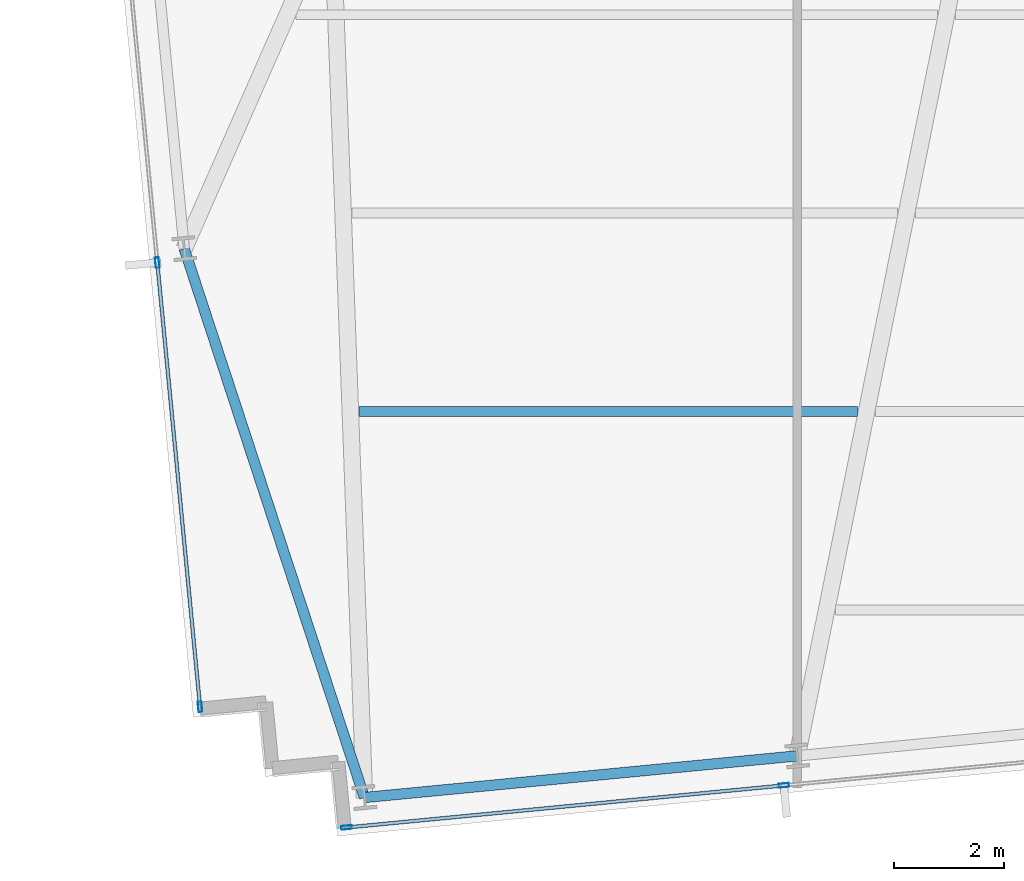
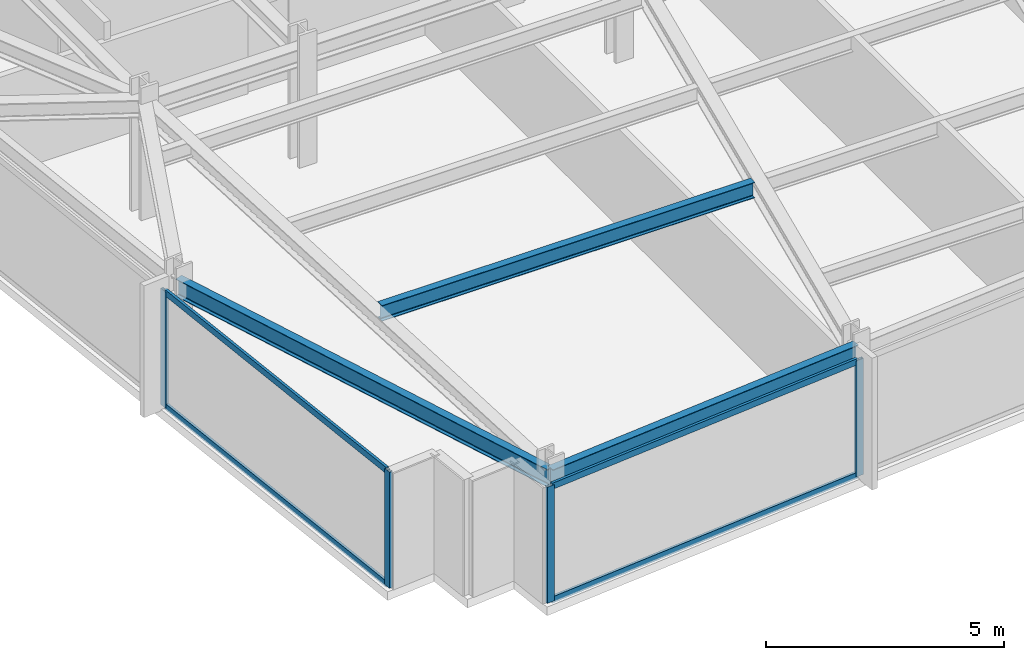
# One storey, part 2 of 32: 8 members, 3 beams, 2 elements without a shape of their own.
"""IFC4 building model written with IfcOpenShell, lengths in metres."""

from ifc_helpers import new_model, si_unit, direction, frame, origin, origin_2d, place, context, subcontext, project, spatial, hollow_rectangle, i_section, extrude, material, material_profile, profile_set, type_object, element, aggregate, save


model = new_model("IFC4")

# Units and contexts
model_context = context("Model", 3, precision=1e-05, world=origin(), true_north=direction((0.0, 1.0)))
body_context = subcontext(model_context, "Body", "Model", "MODEL_VIEW")
ifc_project = project(units=[si_unit("LENGTHUNIT", "METRE"), si_unit("AREAUNIT", "SQUARE_METRE"), si_unit("VOLUMEUNIT", "CUBIC_METRE"), si_unit("PLANEANGLEUNIT", "RADIAN"), si_unit("MASSUNIT", "GRAM", prefix="KILO")], contexts=[model_context])

# Site, building, storey
site_placement = place(None, origin())
site = spatial("IfcSite", under=ifc_project, at=site_placement, CompositionType="ELEMENT")
building_placement = place(site_placement, origin())
building = spatial("IfcBuilding", under=site, at=building_placement, Name="Yelkora Congress Tower", CompositionType="ELEMENT")
storey_placement = place(building_placement, frame((0.0, 0.0, 133.89990234375)))
storey = spatial("IfcBuildingStorey", under=building, at=storey_placement, Name="L36", CompositionType="ELEMENT", Elevation=133.89990234375)

# Beams
ifc_material_1 = material(Name="Steel S355J2", Category="steel")
ifc_material_profile_1 = material_profile(ifc_material_1, i_section(OverallWidth=0.179931640625, OverallDepth=0.39990234375, WebThickness=0.008544921875, FlangeThickness=0.013427734375, FilletRadius=0.02099609375, at=origin_2d()), Name="IPE 400")
ifc_profile_set_1 = profile_set([ifc_material_profile_1], Name="Steel S355J2")
beam_type_1 = type_object("IfcBeamType", Name="BM-JOIST-IPE400", PredefinedType="JOIST", material=ifc_profile_set_1)
beam_1_placement = place(storey_placement, frame((19.6904296875, 16.144287109375, 2.780029296875), z_axis=(1.0, 0.0, 0.0), x_axis=(0.0, 1.0, 0.0)))
element("IfcBeam", 1, at=beam_1_placement, inside=storey, type_object=beam_type_1, Name="L36 Composite Floor Joist 4", PredefinedType="JOIST", context=body_context, shape_type="SweptSolid", body=[
    extrude(i_section(OverallWidth=0.179931640625, OverallDepth=0.39990234375, WebThickness=0.008544921875, FlangeThickness=0.013427734375, FilletRadius=0.02099609375, at=origin_2d()), origin(), (0.0, 0.0, 1.0), 9.0439453125),
])
ifc_material_profile_2 = material_profile(ifc_material_1, i_section(OverallWidth=0.18994140625, OverallDepth=0.449951171875, WebThickness=0.009521484375, FlangeThickness=0.0146484375, FilletRadius=0.02099609375, at=origin_2d()), Name="IPE 450")
ifc_profile_set_2 = profile_set([ifc_material_profile_2], Name="Steel S355J2")
beam_type_2 = type_object("IfcBeamType", Name="BM-SPAN-IPE450", PredefinedType="SPANDREL", material=ifc_profile_set_2)
beam_2_placement = place(storey_placement, frame((16.5166015625, 19.101806640625, 2.755126953125), z_axis=(0.311940628701, -0.95010159676, 0.0), x_axis=(0.95010159676, 0.311940628701, 0.0)))
element("IfcBeam", 2, at=beam_2_placement, inside=storey, type_object=beam_type_2, Name="L36 Perimeter Beam 2", PredefinedType="SPANDREL", context=body_context, shape_type="SweptSolid", body=[
    extrude(i_section(OverallWidth=0.18994140625, OverallDepth=0.449951171875, WebThickness=0.009521484375, FlangeThickness=0.0146484375, FilletRadius=0.02099609375, at=origin_2d()), origin(), (0.0, 0.0, 1.0), 10.48046875),
])
beam_3_placement = place(storey_placement, frame((19.785888671875, 9.144287109375, 2.755126953125), z_axis=(0.995395860104, 0.095849265454, 0.0), x_axis=(-0.095849265454, 0.995395860104, 0.0)))
element("IfcBeam", 3, at=beam_3_placement, inside=storey, type_object=beam_type_2, Name="L36 Perimeter Beam 3", PredefinedType="SPANDREL", context=body_context, shape_type="SweptSolid", body=[
    extrude(i_section(OverallWidth=0.18994140625, OverallDepth=0.449951171875, WebThickness=0.009521484375, FlangeThickness=0.0146484375, FilletRadius=0.02099609375, at=origin_2d()), origin(), (0.0, 0.0, 1.0), 7.885986328125),
])

# Curtain wall, members
ifc_material_2 = material(Name="Anodised aluminium and insulated glass", Category="aluminium")
curtain_wall_type = type_object("IfcCurtainWallType", Name="CW-SYS-B2", PredefinedType="NOTDEFINED", material=ifc_material_2)
curtain_wall_1_placement = place(storey_placement, origin())
curtain_wall_1 = element("IfcCurtainWall", 4, at=curtain_wall_1_placement, inside=storey, type_object=curtain_wall_type, Name="L36 Unitised Curtain Wall 5", PredefinedType="NOTDEFINED")
ifc_material_3 = material(Name="Anodised aluminium 6063-T6", Category="aluminium")
ifc_material_profile_3 = material_profile(ifc_material_3, hollow_rectangle(XDim=0.070068359375, YDim=0.18994140625, WallThickness=0.00390625, at=origin_2d()), Name="ALU 70x190x4")
ifc_profile_set_3 = profile_set([ifc_material_profile_3], Name="Anodised aluminium 6063-T6")
member_type_1 = type_object("IfcMemberType", Name="MEM-ML-B2", PredefinedType="MULLION", material=ifc_profile_set_3)
member_1_placement = place(storey_placement, frame((16.804443359375, 10.791259765625, 0.0), z_axis=(0.0, 0.0, 1.0), x_axis=(-0.995396507508, -0.095842541913, 0.0)))
member_1 = element("IfcMember", 5, at=member_1_placement, type_object=member_type_1, Name="CW-B2 mullion 1", PredefinedType="MULLION", context=body_context, shape_type="SweptSolid", body=[
    extrude(hollow_rectangle(XDim=0.070068359375, YDim=0.18994140625, WallThickness=0.00390625, at=origin_2d()), origin(), (0.0, 0.0, 1.0), 2.97998046875),
])
member_2_placement = place(storey_placement, frame((16.028564453125, 18.848876953125, 0.0), z_axis=(0.0, 0.0, 1.0), x_axis=(-0.995396507508, -0.095842541913, 0.0)))
member_2 = element("IfcMember", 6, at=member_2_placement, type_object=member_type_1, Name="CW-B2 mullion 2", PredefinedType="MULLION", context=body_context, shape_type="SweptSolid", body=[
    extrude(hollow_rectangle(XDim=0.070068359375, YDim=0.18994140625, WallThickness=0.00390625, at=origin_2d()), origin(), (0.0, 0.0, 1.0), 2.97998046875),
])

curtain_wall_2_placement = place(storey_placement, origin())
curtain_wall_2 = element("IfcCurtainWall", 7, at=curtain_wall_2_placement, inside=storey, type_object=curtain_wall_type, Name="L36 Unitised Curtain Wall 20", PredefinedType="NOTDEFINED")
member_3_placement = place(storey_placement, frame((27.392822265625, 9.364501953125, 0.0), z_axis=(0.0, 0.0, 1.0), x_axis=(0.095844345816, -0.995396333816, 0.0)))
member_3 = element("IfcMember", 8, at=member_3_placement, type_object=member_type_1, Name="CW-B2 mullion 7", PredefinedType="MULLION", context=body_context, shape_type="SweptSolid", body=[
    extrude(hollow_rectangle(XDim=0.070068359375, YDim=0.18994140625, WallThickness=0.00390625, at=origin_2d()), origin(), (0.0, 0.0, 1.0), 2.97998046875),
])
member_4_placement = place(storey_placement, frame((19.46142578125, 8.600830078125, 0.0), z_axis=(0.0, 0.0, 1.0), x_axis=(0.095844345816, -0.995396333816, 0.0)))
member_4 = element("IfcMember", 9, at=member_4_placement, type_object=member_type_1, Name="CW-B2 mullion 8", PredefinedType="MULLION", context=body_context, shape_type="SweptSolid", body=[
    extrude(hollow_rectangle(XDim=0.070068359375, YDim=0.18994140625, WallThickness=0.00390625, at=origin_2d()), origin(), (0.0, 0.0, 1.0), 2.97998046875),
])

# Member
ifc_material_profile_4 = material_profile(ifc_material_3, hollow_rectangle(XDim=0.06494140625, YDim=0.159912109375, WallThickness=0.00390625, at=origin_2d()), Name="ALU 65x160x4")
ifc_profile_set_4 = profile_set([ifc_material_profile_4], Name="Anodised aluminium 6063-T6")
member_type_2 = type_object("IfcMemberType", Name="MEM-TR-B2", PredefinedType="USERDEFINED", material=ifc_profile_set_4)
member_5_placement = place(storey_placement, frame((16.801025390625, 10.826171875, 0.03271484375), z_axis=(-0.095861385662, 0.995394692943, 0.0), x_axis=(-0.995394692943, -0.095861385662, 0.0)))
member_5 = element("IfcMember", 10, at=member_5_placement, type_object=member_type_2, Name="CW-B2 transom 1.1", ObjectType="TRANSOM", PredefinedType="USERDEFINED", context=body_context, shape_type="SweptSolid", body=[
    extrude(hollow_rectangle(XDim=0.06494140625, YDim=0.159912109375, WallThickness=0.00390625, at=origin_2d()), origin(), (0.0, 0.0, 1.0), 8.02490234375),
])

member_6_placement = place(storey_placement, frame((16.801025390625, 10.826171875, 2.947509765625), z_axis=(-0.095861385662, 0.995394692943, 0.0), x_axis=(-0.995394692943, -0.095861385662, 0.0)))
member_6 = element("IfcMember", 11, at=member_6_placement, type_object=member_type_2, Name="CW-B2 transom 1.2", ObjectType="TRANSOM", PredefinedType="USERDEFINED", context=body_context, shape_type="SweptSolid", body=[
    extrude(hollow_rectangle(XDim=0.06494140625, YDim=0.159912109375, WallThickness=0.00390625, at=origin_2d()), origin(), (0.0, 0.0, 1.0), 8.02490234375),
])

aggregate(curtain_wall_1, [member_1, member_2, member_5, member_6])

member_7_placement = place(storey_placement, frame((27.35791015625, 9.361083984375, 0.03271484375), z_axis=(-0.995397978421, -0.095827264157, 0.0), x_axis=(0.095827264157, -0.995397978421, 0.0)))
member_7 = element("IfcMember", 12, at=member_7_placement, type_object=member_type_2, Name="CW-B2 transom 7.1", ObjectType="TRANSOM", PredefinedType="USERDEFINED", context=body_context, shape_type="SweptSolid", body=[
    extrude(hollow_rectangle(XDim=0.06494140625, YDim=0.159912109375, WallThickness=0.00390625, at=origin_2d()), origin(), (0.0, 0.0, 1.0), 7.89794921875),
])

member_8_placement = place(storey_placement, frame((27.35791015625, 9.361083984375, 2.947509765625), z_axis=(-0.995397978421, -0.095827264157, 0.0), x_axis=(0.095827264157, -0.995397978421, 0.0)))
member_8 = element("IfcMember", 13, at=member_8_placement, type_object=member_type_2, Name="CW-B2 transom 7.2", ObjectType="TRANSOM", PredefinedType="USERDEFINED", context=body_context, shape_type="SweptSolid", body=[
    extrude(hollow_rectangle(XDim=0.06494140625, YDim=0.159912109375, WallThickness=0.00390625, at=origin_2d()), origin(), (0.0, 0.0, 1.0), 7.89794921875),
])

aggregate(curtain_wall_2, [member_3, member_4, member_7, member_8])

save(model, "model.ifc")
